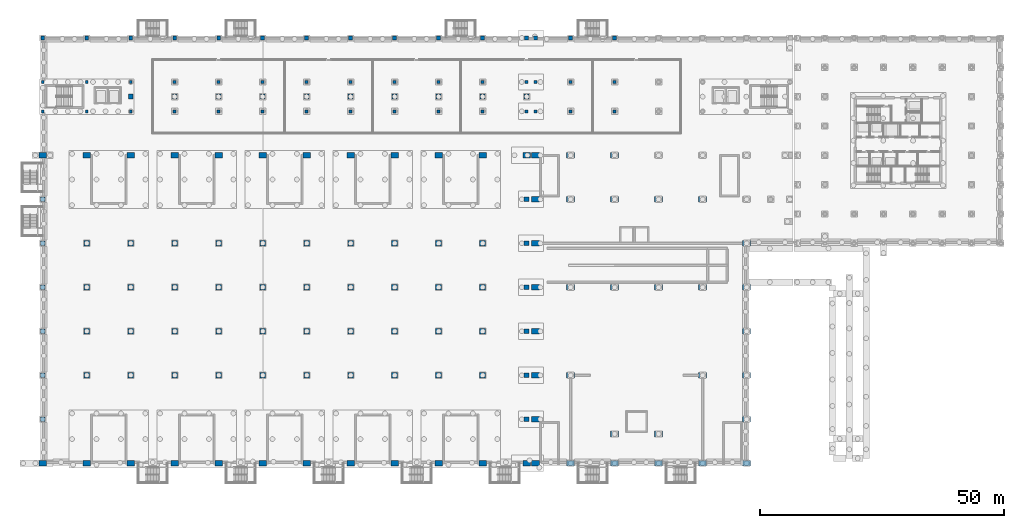
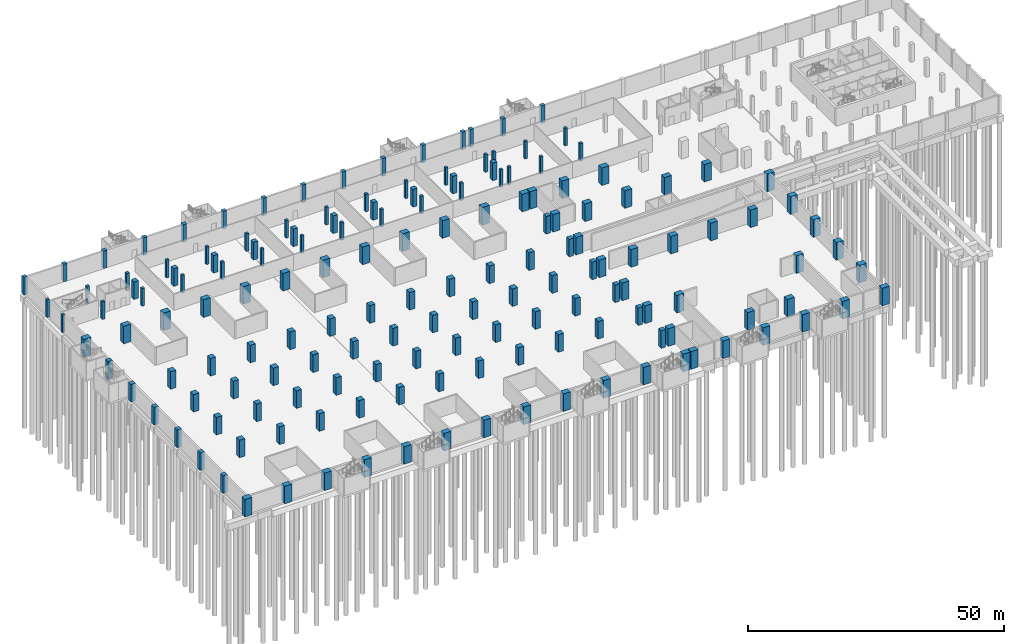
# One storey, part 6 of 29: 163 columns.
"""IFC4 building model written with IfcOpenShell, lengths in metres."""

from ifc_helpers import new_model, si_unit, direction, frame, origin, origin_2d, place, context, subcontext, project, spatial, rectangle, extrude, material, material_profile, profile_set, type_object, element, save


model = new_model("IFC4")

# Units and contexts
model_context = context("Model", 3, precision=1e-05, world=origin(), true_north=direction((0.0, 1.0)))
body_context = subcontext(model_context, "Body", "Model", "MODEL_VIEW")
ifc_project = project(units=[si_unit("LENGTHUNIT", "METRE"), si_unit("AREAUNIT", "SQUARE_METRE"), si_unit("VOLUMEUNIT", "CUBIC_METRE"), si_unit("PLANEANGLEUNIT", "RADIAN"), si_unit("MASSUNIT", "GRAM", prefix="KILO")], contexts=[model_context])

# Site, building, storey
site_placement = place(None, origin())
site = spatial("IfcSite", under=ifc_project, at=site_placement, CompositionType="ELEMENT")
building_placement = place(site_placement, origin())
building = spatial("IfcBuilding", under=site, at=building_placement, Name="Aravalli Gate Trade Fair Centre", CompositionType="ELEMENT")
storey_placement = place(building_placement, frame((0.0, 0.0, -8.39990234375)))
storey = spatial("IfcBuildingStorey", under=building, at=storey_placement, Name="B2", CompositionType="ELEMENT", Elevation=-8.39990234375)

# Columns
ifc_material_1 = material(Name="Concrete M50", Category="concrete")
ifc_material_profile_1 = material_profile(ifc_material_1, rectangle(XDim=1.0, YDim=1.0, at=origin_2d()), Name="RC 1000 x 1000")
ifc_profile_set_1 = profile_set([ifc_material_profile_1], Name="Concrete M50")
column_type_1 = type_object("IfcColumnType", Name="Basement column 1000", PredefinedType="COLUMN", material=ifc_profile_set_1)
for number, where, z_axis, x_axis, name in (
    (1, (6.0, 55.0, 0.0), (0.0, 0.0, 1.0), (1.0, 0.0, 0.0), "Basement column 1B B2"),
    (2, (6.0, 64.0, 0.0), (0.0, 0.0, 1.0), (1.0, 0.0, 0.0), "Basement column 1C B2"),
    (3, (6.0, 73.0, 0.0), (0.0, 0.0, 1.0), (1.0, 0.0, 0.0), "Basement column 1D B2"),
    (4, (6.0, 82.0, 0.0), (0.0, 0.0, 1.0), (1.0, 0.0, 0.0), "Basement column 1E B2"),
    (5, (6.0, 91.0, 0.0), (0.0, 0.0, 1.0), (1.0, 0.0, 0.0), "Basement column 1F B2"),
    (6, (6.0, 100.0, 0.0), (0.0, 0.0, 1.0), (1.0, 0.0, 0.0), "Basement column 1G B2"),
    (7, (105.0, 55.0, 0.0), (0.0, 0.0, 1.0), (1.0, 0.0, 0.0), "Basement column 12B B2"),
    (8, (105.0, 64.0, 0.0), (0.0, 0.0, 1.0), (1.0, 0.0, 0.0), "Basement column 12C B2"),
    (9, (105.0, 73.0, 0.0), (0.0, 0.0, 1.0), (1.0, 0.0, 0.0), "Basement column 12D B2"),
    (10, (105.0, 82.0, 0.0), (0.0, 0.0, 1.0), (1.0, 0.0, 0.0), "Basement column 12E B2"),
    (11, (105.0, 91.0, 0.0), (0.0, 0.0, 1.0), (1.0, 0.0, 0.0), "Basement column 12F B2"),
    (12, (105.0, 100.0, 0.0), (0.0, 0.0, 1.0), (1.0, 0.0, 0.0), "Basement column 12G B2"),
    (13, (24.0, 121.0, 0.0), (0.0, 0.0, 1.0), (1.0, 0.0, 0.0), "Basement column 3J B2"),
    (14, (33.0, 121.0, 0.0), (0.0, 0.0, 1.0), (1.0, 0.0, 0.0), "Basement column 4J B2"),
    (15, (42.0, 121.0, 0.0), (0.0, 0.0, 1.0), (1.0, 0.0, 0.0), "Basement column 5J B2"),
    (16, (51.0, 121.0, 0.0), (0.0, 0.0, 1.0), (1.0, 0.0, 0.0), "Basement column 6J B2"),
    (17, (60.0, 121.0, 0.0), (0.0, 0.0, 1.0), (1.0, 0.0, 0.0), "Basement column 7J B2"),
    (18, (69.0, 121.0, 0.0), (0.0, 0.0, 1.0), (1.0, 0.0, 0.0), "Basement column 8J B2"),
    (19, (78.0, 121.0, 0.0), (0.0, 0.0, 1.0), (1.0, 0.0, 0.0), "Basement column 9J B2"),
    (20, (87.0, 121.0, 0.0), (0.0, 0.0, 1.0), (1.0, 0.0, 0.0), "Basement column 10J B2"),
    (21, (96.0, 121.0, 0.0), (0.0, 0.0, 1.0), (1.0, 0.0, 0.0), "Basement column 11J B2"),
    (22, (105.0, 121.0, 0.0), (0.0, 0.0, 1.0), (1.0, 0.0, 0.0), "Basement column 12J B2"),
):
    element("IfcColumn", number, at=place(storey_placement, frame(where, z_axis=z_axis, x_axis=x_axis)), inside=storey, type_object=column_type_1, Name=name, PredefinedType="COLUMN", context=body_context, shape_type="SweptSolid", body=[
        extrude(rectangle(XDim=1.0, YDim=1.0, at=origin_2d()), origin(), (0.0, 0.0, 1.0), 4.199951171875),
    ])
ifc_material_profile_2 = material_profile(ifc_material_1, rectangle(XDim=1.199951171875, YDim=1.199951171875, at=origin_2d()), Name="RC 1200 x 1200")
ifc_profile_set_2 = profile_set([ifc_material_profile_2], Name="Concrete M50")
column_type_2 = type_object("IfcColumnType", Name="Basement column 1200", PredefinedType="COLUMN", material=ifc_profile_set_2)
for number, where, z_axis, x_axis, name in (
    (23, (15.0, 64.0, 0.0), (0.0, 0.0, 1.0), (1.0, 0.0, 0.0), "Basement column 2C B2"),
    (24, (15.0, 73.0, 0.0), (0.0, 0.0, 1.0), (1.0, 0.0, 0.0), "Basement column 2D B2"),
    (25, (15.0, 82.0, 0.0), (0.0, 0.0, 1.0), (1.0, 0.0, 0.0), "Basement column 2E B2"),
    (26, (15.0, 91.0, 0.0), (0.0, 0.0, 1.0), (1.0, 0.0, 0.0), "Basement column 2F B2"),
    (27, (24.0, 64.0, 0.0), (0.0, 0.0, 1.0), (1.0, 0.0, 0.0), "Basement column 3C B2"),
    (28, (24.0, 73.0, 0.0), (0.0, 0.0, 1.0), (1.0, 0.0, 0.0), "Basement column 3D B2"),
    (29, (24.0, 82.0, 0.0), (0.0, 0.0, 1.0), (1.0, 0.0, 0.0), "Basement column 3E B2"),
    (30, (24.0, 91.0, 0.0), (0.0, 0.0, 1.0), (1.0, 0.0, 0.0), "Basement column 3F B2"),
    (31, (33.0, 64.0, 0.0), (0.0, 0.0, 1.0), (1.0, 0.0, 0.0), "Basement column 4C B2"),
    (32, (33.0, 73.0, 0.0), (0.0, 0.0, 1.0), (1.0, 0.0, 0.0), "Basement column 4D B2"),
    (33, (33.0, 82.0, 0.0), (0.0, 0.0, 1.0), (1.0, 0.0, 0.0), "Basement column 4E B2"),
    (34, (33.0, 91.0, 0.0), (0.0, 0.0, 1.0), (1.0, 0.0, 0.0), "Basement column 4F B2"),
    (35, (42.0, 64.0, 0.0), (0.0, 0.0, 1.0), (1.0, 0.0, 0.0), "Basement column 5C B2"),
    (36, (42.0, 73.0, 0.0), (0.0, 0.0, 1.0), (1.0, 0.0, 0.0), "Basement column 5D B2"),
    (37, (42.0, 82.0, 0.0), (0.0, 0.0, 1.0), (1.0, 0.0, 0.0), "Basement column 5E B2"),
    (38, (42.0, 91.0, 0.0), (0.0, 0.0, 1.0), (1.0, 0.0, 0.0), "Basement column 5F B2"),
    (39, (51.0, 64.0, 0.0), (0.0, 0.0, 1.0), (1.0, 0.0, 0.0), "Basement column 6C B2"),
    (40, (51.0, 73.0, 0.0), (0.0, 0.0, 1.0), (1.0, 0.0, 0.0), "Basement column 6D B2"),
    (41, (51.0, 82.0, 0.0), (0.0, 0.0, 1.0), (1.0, 0.0, 0.0), "Basement column 6E B2"),
    (42, (51.0, 91.0, 0.0), (0.0, 0.0, 1.0), (1.0, 0.0, 0.0), "Basement column 6F B2"),
    (43, (60.0, 64.0, 0.0), (0.0, 0.0, 1.0), (1.0, 0.0, 0.0), "Basement column 7C B2"),
    (44, (60.0, 73.0, 0.0), (0.0, 0.0, 1.0), (1.0, 0.0, 0.0), "Basement column 7D B2"),
    (45, (60.0, 82.0, 0.0), (0.0, 0.0, 1.0), (1.0, 0.0, 0.0), "Basement column 7E B2"),
    (46, (60.0, 91.0, 0.0), (0.0, 0.0, 1.0), (1.0, 0.0, 0.0), "Basement column 7F B2"),
    (47, (69.0, 64.0, 0.0), (0.0, 0.0, 1.0), (1.0, 0.0, 0.0), "Basement column 8C B2"),
    (48, (69.0, 73.0, 0.0), (0.0, 0.0, 1.0), (1.0, 0.0, 0.0), "Basement column 8D B2"),
    (49, (69.0, 82.0, 0.0), (0.0, 0.0, 1.0), (1.0, 0.0, 0.0), "Basement column 8E B2"),
    (50, (69.0, 91.0, 0.0), (0.0, 0.0, 1.0), (1.0, 0.0, 0.0), "Basement column 8F B2"),
    (51, (78.0, 64.0, 0.0), (0.0, 0.0, 1.0), (1.0, 0.0, 0.0), "Basement column 9C B2"),
    (52, (78.0, 73.0, 0.0), (0.0, 0.0, 1.0), (1.0, 0.0, 0.0), "Basement column 9D B2"),
    (53, (78.0, 82.0, 0.0), (0.0, 0.0, 1.0), (1.0, 0.0, 0.0), "Basement column 9E B2"),
    (54, (78.0, 91.0, 0.0), (0.0, 0.0, 1.0), (1.0, 0.0, 0.0), "Basement column 9F B2"),
    (55, (87.0, 64.0, 0.0), (0.0, 0.0, 1.0), (1.0, 0.0, 0.0), "Basement column 10C B2"),
    (56, (87.0, 73.0, 0.0), (0.0, 0.0, 1.0), (1.0, 0.0, 0.0), "Basement column 10D B2"),
    (57, (87.0, 82.0, 0.0), (0.0, 0.0, 1.0), (1.0, 0.0, 0.0), "Basement column 10E B2"),
    (58, (87.0, 91.0, 0.0), (0.0, 0.0, 1.0), (1.0, 0.0, 0.0), "Basement column 10F B2"),
    (59, (96.0, 64.0, 0.0), (0.0, 0.0, 1.0), (1.0, 0.0, 0.0), "Basement column 11C B2"),
    (60, (96.0, 73.0, 0.0), (0.0, 0.0, 1.0), (1.0, 0.0, 0.0), "Basement column 11D B2"),
    (61, (96.0, 82.0, 0.0), (0.0, 0.0, 1.0), (1.0, 0.0, 0.0), "Basement column 11E B2"),
    (62, (96.0, 91.0, 0.0), (0.0, 0.0, 1.0), (1.0, 0.0, 0.0), "Basement column 11F B2"),
):
    element("IfcColumn", number, at=place(storey_placement, frame(where, z_axis=z_axis, x_axis=x_axis)), inside=storey, type_object=column_type_2, Name=name, PredefinedType="COLUMN", context=body_context, shape_type="SweptSolid", body=[
        extrude(rectangle(XDim=1.199951171875, YDim=1.199951171875, at=origin_2d()), origin(), (0.0, 0.0, 1.0), 4.199951171875),
    ])
ifc_material_2 = material(Name="Concrete M45", Category="concrete")
ifc_material_profile_3 = material_profile(ifc_material_2, rectangle(XDim=1.60009765625, YDim=1.199951171875, at=origin_2d()), Name="RC 1600x1200")
ifc_profile_set_3 = profile_set([ifc_material_profile_3], Name="Concrete M45")
column_type_3 = type_object("IfcColumnType", Name="Congress RC column 1600 x 1200", PredefinedType="COLUMN", material=ifc_profile_set_3)
for number, where, z_axis, x_axis, name in (
    (63, (106.800048828125, 46.0, 0.0), (0.0, 0.0, 1.0), (1.0, 0.0, 0.0), "Congress column 106.8/46 B2"),
    (64, (114.0, 46.0, 0.0), (0.0, 0.0, 1.0), (1.0, 0.0, 0.0), "Congress column 114.0/46 B2"),
    (65, (123.0, 46.0, 0.0), (0.0, 0.0, 1.0), (1.0, 0.0, 0.0), "Congress column 123.0/46 B2"),
    (66, (132.0, 46.0, 0.0), (0.0, 0.0, 1.0), (1.0, 0.0, 0.0), "Congress column 132.0/46 B2"),
    (67, (141.0, 46.0, 0.0), (0.0, 0.0, 1.0), (1.0, 0.0, 0.0), "Congress column 141.0/46 B2"),
    (68, (150.0, 46.0, 0.0), (0.0, 0.0, 1.0), (1.0, 0.0, 0.0), "Congress column 150.0/46 B2"),
    (69, (106.800048828125, 55.0, 0.0), (0.0, 0.0, 1.0), (1.0, 0.0, 0.0), "Congress column 106.8/55 B2"),
    (70, (150.0, 55.0, 0.0), (0.0, 0.0, 1.0), (1.0, 0.0, 0.0), "Congress column 150.0/55 B2"),
    (71, (106.800048828125, 64.0, 0.0), (0.0, 0.0, 1.0), (1.0, 0.0, 0.0), "Congress column 106.8/64 B2"),
    (72, (150.0, 64.0, 0.0), (0.0, 0.0, 1.0), (1.0, 0.0, 0.0), "Congress column 150.0/64 B2"),
    (73, (106.800048828125, 73.0, 0.0), (0.0, 0.0, 1.0), (1.0, 0.0, 0.0), "Congress column 106.8/73 B2"),
    (74, (150.0, 73.0, 0.0), (0.0, 0.0, 1.0), (1.0, 0.0, 0.0), "Congress column 150.0/73 B2"),
    (75, (106.800048828125, 82.0, 0.0), (0.0, 0.0, 1.0), (1.0, 0.0, 0.0), "Congress column 106.8/82 B2"),
    (76, (150.0, 82.0, 0.0), (0.0, 0.0, 1.0), (1.0, 0.0, 0.0), "Congress column 150.0/82 B2"),
    (77, (106.800048828125, 91.0, 0.0), (0.0, 0.0, 1.0), (1.0, 0.0, 0.0), "Congress column 106.8/91 B2"),
    (78, (150.0, 91.0, 0.0), (0.0, 0.0, 1.0), (1.0, 0.0, 0.0), "Congress column 150.0/91 B2"),
    (79, (106.800048828125, 100.0, 0.0), (0.0, 0.0, 1.0), (1.0, 0.0, 0.0), "Congress column 106.8/100 B2"),
    (80, (106.800048828125, 109.0, 0.0), (0.0, 0.0, 1.0), (1.0, 0.0, 0.0), "Congress column 106.8/109 B2"),
    (81, (114.0, 109.0, 0.0), (0.0, 0.0, 1.0), (1.0, 0.0, 0.0), "Congress column 114.0/109 B2"),
    (82, (123.0, 109.0, 0.0), (0.0, 0.0, 1.0), (1.0, 0.0, 0.0), "Congress column 123.0/109 B2"),
):
    element("IfcColumn", number, at=place(storey_placement, frame(where, z_axis=z_axis, x_axis=x_axis)), inside=storey, type_object=column_type_3, Name=name, PredefinedType="COLUMN", context=body_context, shape_type="SweptSolid", body=[
        extrude(rectangle(XDim=1.60009765625, YDim=1.199951171875, at=origin_2d()), origin(), (0.0, 0.0, 1.0), 4.199951171875),
    ])
ifc_material_profile_4 = material_profile(ifc_material_2, rectangle(XDim=1.60009765625, YDim=1.199951171875, at=origin_2d()), Name="RC 1600x1200")
ifc_profile_set_4 = profile_set([ifc_material_profile_4], Name="Concrete M45")
column_type_4 = type_object("IfcColumnType", Name="Congress RC column 1600 x 1200, heavy stack", PredefinedType="COLUMN", material=ifc_profile_set_4)
for number, where, z_axis, x_axis, name in (
    (83, (123.0, 52.0, 0.0), (0.0, 0.0, 1.0), (1.0, 0.0, 0.0), "Congress column 123.0/52 B2"),
    (84, (132.0, 52.0, 0.0), (0.0, 0.0, 1.0), (1.0, 0.0, 0.0), "Congress column 132.0/52 B2"),
    (85, (114.0, 64.0, 0.0), (0.0, 0.0, 1.0), (1.0, 0.0, 0.0), "Congress column 114.0/64 B2"),
    (86, (141.0, 64.0, 0.0), (0.0, 0.0, 1.0), (1.0, 0.0, 0.0), "Congress column 141.0/64 B2"),
    (87, (114.0, 82.0, 0.0), (0.0, 0.0, 1.0), (1.0, 0.0, 0.0), "Congress column 114.0/82 B2"),
    (88, (123.0, 82.0, 0.0), (0.0, 0.0, 1.0), (1.0, 0.0, 0.0), "Congress column 123.0/82 B2"),
    (89, (132.0, 82.0, 0.0), (0.0, 0.0, 1.0), (1.0, 0.0, 0.0), "Congress column 132.0/82 B2"),
    (90, (141.0, 82.0, 0.0), (0.0, 0.0, 1.0), (1.0, 0.0, 0.0), "Congress column 141.0/82 B2"),
    (91, (114.0, 100.0, 0.0), (0.0, 0.0, 1.0), (1.0, 0.0, 0.0), "Congress column 114.0/100 B2"),
    (92, (123.0, 100.0, 0.0), (0.0, 0.0, 1.0), (1.0, 0.0, 0.0), "Congress column 123.0/100 B2"),
    (93, (132.0, 100.0, 0.0), (0.0, 0.0, 1.0), (1.0, 0.0, 0.0), "Congress column 132.0/100 B2"),
    (94, (141.0, 100.0, 0.0), (0.0, 0.0, 1.0), (1.0, 0.0, 0.0), "Congress column 141.0/100 B2"),
):
    element("IfcColumn", number, at=place(storey_placement, frame(where, z_axis=z_axis, x_axis=x_axis)), inside=storey, type_object=column_type_4, Name=name, PredefinedType="COLUMN", context=body_context, shape_type="SweptSolid", body=[
        extrude(rectangle(XDim=1.60009765625, YDim=1.199951171875, at=origin_2d()), origin(), (0.0, 0.0, 1.0), 4.199951171875),
    ])
ifc_material_profile_5 = material_profile(ifc_material_2, rectangle(XDim=1.60009765625, YDim=1.199951171875, at=origin_2d()), Name="RC 1600x1200")
ifc_profile_set_5 = profile_set([ifc_material_profile_5], Name="Concrete M45")
column_type_5 = type_object("IfcColumnType", Name="Hall end-line spine column HC2", PredefinedType="COLUMN", material=ifc_profile_set_5)
for number, where, z_axis, x_axis, name in (
    (95, (6.0, 46.0, 0.0), (0.0, 0.0, 1.0), (1.0, 0.0, 0.0), "Spine column A1 B2"),
    (96, (6.0, 109.0, 0.0), (0.0, 0.0, 1.0), (1.0, 0.0, 0.0), "Spine column H1 B2"),
    (97, (105.0, 46.0, 0.0), (0.0, 0.0, 1.0), (1.0, 0.0, 0.0), "Spine column A12 B2"),
    (98, (105.0, 109.0, 0.0), (0.0, 0.0, 1.0), (1.0, 0.0, 0.0), "Spine column H12 B2"),
):
    element("IfcColumn", number, at=place(storey_placement, frame(where, z_axis=z_axis, x_axis=x_axis)), inside=storey, type_object=column_type_5, Name=name, PredefinedType="COLUMN", context=body_context, shape_type="SweptSolid", body=[
        extrude(rectangle(XDim=1.60009765625, YDim=1.199951171875, at=origin_2d()), origin(), (0.0, 0.0, 1.0), 4.199951171875),
    ])
ifc_material_profile_6 = material_profile(ifc_material_2, rectangle(XDim=1.60009765625, YDim=1.199951171875, at=origin_2d()), Name="RC 1600x1200")
ifc_profile_set_6 = profile_set([ifc_material_profile_6], Name="Concrete M45")
column_type_6 = type_object("IfcColumnType", Name="Hall spine column HC1", PredefinedType="COLUMN", material=ifc_profile_set_6)
for number, where, z_axis, x_axis, name in (
    (99, (15.0, 46.0, 0.0), (0.0, 0.0, 1.0), (1.0, 0.0, 0.0), "Spine column A2 B2"),
    (100, (15.0, 109.0, 0.0), (0.0, 0.0, 1.0), (1.0, 0.0, 0.0), "Spine column H2 B2"),
    (101, (24.0, 46.0, 0.0), (0.0, 0.0, 1.0), (1.0, 0.0, 0.0), "Spine column A3 B2"),
    (102, (24.0, 109.0, 0.0), (0.0, 0.0, 1.0), (1.0, 0.0, 0.0), "Spine column H3 B2"),
    (103, (33.0, 46.0, 0.0), (0.0, 0.0, 1.0), (1.0, 0.0, 0.0), "Spine column A4 B2"),
    (104, (33.0, 109.0, 0.0), (0.0, 0.0, 1.0), (1.0, 0.0, 0.0), "Spine column H4 B2"),
    (105, (42.0, 46.0, 0.0), (0.0, 0.0, 1.0), (1.0, 0.0, 0.0), "Spine column A5 B2"),
    (106, (42.0, 109.0, 0.0), (0.0, 0.0, 1.0), (1.0, 0.0, 0.0), "Spine column H5 B2"),
    (107, (51.0, 46.0, 0.0), (0.0, 0.0, 1.0), (1.0, 0.0, 0.0), "Spine column A6 B2"),
    (108, (51.0, 109.0, 0.0), (0.0, 0.0, 1.0), (1.0, 0.0, 0.0), "Spine column H6 B2"),
    (109, (60.0, 46.0, 0.0), (0.0, 0.0, 1.0), (1.0, 0.0, 0.0), "Spine column A7 B2"),
    (110, (60.0, 109.0, 0.0), (0.0, 0.0, 1.0), (1.0, 0.0, 0.0), "Spine column H7 B2"),
    (111, (69.0, 46.0, 0.0), (0.0, 0.0, 1.0), (1.0, 0.0, 0.0), "Spine column A8 B2"),
    (112, (69.0, 109.0, 0.0), (0.0, 0.0, 1.0), (1.0, 0.0, 0.0), "Spine column H8 B2"),
    (113, (78.0, 46.0, 0.0), (0.0, 0.0, 1.0), (1.0, 0.0, 0.0), "Spine column A9 B2"),
    (114, (78.0, 109.0, 0.0), (0.0, 0.0, 1.0), (1.0, 0.0, 0.0), "Spine column H9 B2"),
    (115, (87.0, 46.0, 0.0), (0.0, 0.0, 1.0), (1.0, 0.0, 0.0), "Spine column A10 B2"),
    (116, (87.0, 109.0, 0.0), (0.0, 0.0, 1.0), (1.0, 0.0, 0.0), "Spine column H10 B2"),
    (117, (96.0, 46.0, 0.0), (0.0, 0.0, 1.0), (1.0, 0.0, 0.0), "Spine column A11 B2"),
    (118, (96.0, 109.0, 0.0), (0.0, 0.0, 1.0), (1.0, 0.0, 0.0), "Spine column H11 B2"),
):
    element("IfcColumn", number, at=place(storey_placement, frame(where, z_axis=z_axis, x_axis=x_axis)), inside=storey, type_object=column_type_6, Name=name, PredefinedType="COLUMN", context=body_context, shape_type="SweptSolid", body=[
        extrude(rectangle(XDim=1.60009765625, YDim=1.199951171875, at=origin_2d()), origin(), (0.0, 0.0, 1.0), 4.199951171875),
    ])
ifc_material_profile_7 = material_profile(ifc_material_2, rectangle(XDim=0.60009765625, YDim=0.60009765625, at=origin_2d()), Name="RC column 600 x 600")
ifc_profile_set_7 = profile_set([ifc_material_profile_7], Name="Concrete M45")
column_type_7 = type_object("IfcColumnType", Name="RC column 600 x 600", PredefinedType="COLUMN", material=ifc_profile_set_7)
for number, where, z_axis, x_axis, name in (
    (119, (6.0, 118.0, 0.0), (0.0, 0.0, 1.0), (1.0, 0.0, 0.0), "Concourse column S01 B2"),
    (120, (6.0, 124.0, 0.0), (0.0, 0.0, 1.0), (1.0, 0.0, 0.0), "Concourse column N01 B2"),
    (121, (15.0, 118.0, 0.0), (0.0, 0.0, 1.0), (1.0, 0.0, 0.0), "Concourse column S02 B2"),
    (122, (15.0, 124.0, 0.0), (0.0, 0.0, 1.0), (1.0, 0.0, 0.0), "Concourse column N02 B2"),
    (123, (24.0, 118.0, 0.0), (0.0, 0.0, 1.0), (1.0, 0.0, 0.0), "Concourse column S03 B2"),
    (124, (24.0, 124.0, 0.0), (0.0, 0.0, 1.0), (1.0, 0.0, 0.0), "Concourse column N03 B2"),
    (125, (33.0, 118.0, 0.0), (0.0, 0.0, 1.0), (1.0, 0.0, 0.0), "Concourse column S04 B2"),
    (126, (33.0, 124.0, 0.0), (0.0, 0.0, 1.0), (1.0, 0.0, 0.0), "Concourse column N04 B2"),
    (127, (42.0, 118.0, 0.0), (0.0, 0.0, 1.0), (1.0, 0.0, 0.0), "Concourse column S05 B2"),
    (128, (42.0, 124.0, 0.0), (0.0, 0.0, 1.0), (1.0, 0.0, 0.0), "Concourse column N05 B2"),
    (129, (51.0, 118.0, 0.0), (0.0, 0.0, 1.0), (1.0, 0.0, 0.0), "Concourse column S06 B2"),
    (130, (51.0, 124.0, 0.0), (0.0, 0.0, 1.0), (1.0, 0.0, 0.0), "Concourse column N06 B2"),
    (131, (60.0, 118.0, 0.0), (0.0, 0.0, 1.0), (1.0, 0.0, 0.0), "Concourse column S07 B2"),
    (132, (60.0, 124.0, 0.0), (0.0, 0.0, 1.0), (1.0, 0.0, 0.0), "Concourse column N07 B2"),
    (133, (69.0, 118.0, 0.0), (0.0, 0.0, 1.0), (1.0, 0.0, 0.0), "Concourse column S08 B2"),
    (134, (69.0, 124.0, 0.0), (0.0, 0.0, 1.0), (1.0, 0.0, 0.0), "Concourse column N08 B2"),
    (135, (78.0, 118.0, 0.0), (0.0, 0.0, 1.0), (1.0, 0.0, 0.0), "Concourse column S09 B2"),
    (136, (78.0, 124.0, 0.0), (0.0, 0.0, 1.0), (1.0, 0.0, 0.0), "Concourse column N09 B2"),
    (137, (87.0, 118.0, 0.0), (0.0, 0.0, 1.0), (1.0, 0.0, 0.0), "Concourse column S10 B2"),
    (138, (87.0, 124.0, 0.0), (0.0, 0.0, 1.0), (1.0, 0.0, 0.0), "Concourse column N10 B2"),
    (139, (96.0, 118.0, 0.0), (0.0, 0.0, 1.0), (1.0, 0.0, 0.0), "Concourse column S11 B2"),
    (140, (96.0, 124.0, 0.0), (0.0, 0.0, 1.0), (1.0, 0.0, 0.0), "Concourse column N11 B2"),
    (141, (105.0, 118.0, 0.0), (0.0, 0.0, 1.0), (1.0, 0.0, 0.0), "Concourse column S12 B2"),
    (142, (105.0, 124.0, 0.0), (0.0, 0.0, 1.0), (1.0, 0.0, 0.0), "Concourse column N12 B2"),
    (143, (106.800048828125, 118.0, 0.0), (0.0, 0.0, 1.0), (1.0, 0.0, 0.0), "Concourse column S12A B2"),
    (144, (106.800048828125, 124.0, 0.0), (0.0, 0.0, 1.0), (1.0, 0.0, 0.0), "Concourse column N12A B2"),
    (145, (114.0, 118.0, 0.0), (0.0, 0.0, 1.0), (1.0, 0.0, 0.0), "Concourse column S13 B2"),
    (146, (114.0, 124.0, 0.0), (0.0, 0.0, 1.0), (1.0, 0.0, 0.0), "Concourse column N13 B2"),
    (147, (123.0, 118.0, 0.0), (0.0, 0.0, 1.0), (1.0, 0.0, 0.0), "Concourse column S14 B2"),
    (148, (123.0, 124.0, 0.0), (0.0, 0.0, 1.0), (1.0, 0.0, 0.0), "Concourse column N14 B2"),
):
    element("IfcColumn", number, at=place(storey_placement, frame(where, z_axis=z_axis, x_axis=x_axis)), inside=storey, type_object=column_type_7, Name=name, PredefinedType="COLUMN", context=body_context, shape_type="SweptSolid", body=[
        extrude(rectangle(XDim=0.60009765625, YDim=0.60009765625, at=origin_2d()), origin(), (0.0, 0.0, 1.0), 4.199951171875),
    ])
ifc_material_profile_8 = material_profile(ifc_material_2, rectangle(XDim=0.800048828125, YDim=0.800048828125, at=origin_2d()), Name="RC column 800 x 800")
ifc_profile_set_8 = profile_set([ifc_material_profile_8], Name="Concrete M45")
column_type_8 = type_object("IfcColumnType", Name="RC column 800 x 800", PredefinedType="COLUMN", material=ifc_profile_set_8)
for number, where, z_axis, x_axis, name in (
    (149, (6.0, 133.0, 0.0), (0.0, 0.0, 1.0), (1.0, 0.0, 0.0), "Concourse column K01 B2"),
    (150, (15.0, 133.0, 0.0), (0.0, 0.0, 1.0), (1.0, 0.0, 0.0), "Concourse column K02 B2"),
    (151, (24.0, 133.0, 0.0), (0.0, 0.0, 1.0), (1.0, 0.0, 0.0), "Concourse column K03 B2"),
    (152, (33.0, 133.0, 0.0), (0.0, 0.0, 1.0), (1.0, 0.0, 0.0), "Concourse column K04 B2"),
    (153, (42.0, 133.0, 0.0), (0.0, 0.0, 1.0), (1.0, 0.0, 0.0), "Concourse column K05 B2"),
    (154, (51.0, 133.0, 0.0), (0.0, 0.0, 1.0), (1.0, 0.0, 0.0), "Concourse column K06 B2"),
    (155, (60.0, 133.0, 0.0), (0.0, 0.0, 1.0), (1.0, 0.0, 0.0), "Concourse column K07 B2"),
    (156, (69.0, 133.0, 0.0), (0.0, 0.0, 1.0), (1.0, 0.0, 0.0), "Concourse column K08 B2"),
    (157, (78.0, 133.0, 0.0), (0.0, 0.0, 1.0), (1.0, 0.0, 0.0), "Concourse column K09 B2"),
    (158, (87.0, 133.0, 0.0), (0.0, 0.0, 1.0), (1.0, 0.0, 0.0), "Concourse column K10 B2"),
    (159, (96.0, 133.0, 0.0), (0.0, 0.0, 1.0), (1.0, 0.0, 0.0), "Concourse column K11 B2"),
    (160, (105.0, 133.0, 0.0), (0.0, 0.0, 1.0), (1.0, 0.0, 0.0), "Concourse column K12 B2"),
    (161, (106.800048828125, 133.0, 0.0), (0.0, 0.0, 1.0), (1.0, 0.0, 0.0), "Concourse column K12A B2"),
    (162, (114.0, 133.0, 0.0), (0.0, 0.0, 1.0), (1.0, 0.0, 0.0), "Concourse column K13 B2"),
    (163, (123.0, 133.0, 0.0), (0.0, 0.0, 1.0), (1.0, 0.0, 0.0), "Concourse column K14 B2"),
):
    element("IfcColumn", number, at=place(storey_placement, frame(where, z_axis=z_axis, x_axis=x_axis)), inside=storey, type_object=column_type_8, Name=name, PredefinedType="COLUMN", context=body_context, shape_type="SweptSolid", body=[
        extrude(rectangle(XDim=0.800048828125, YDim=0.800048828125, at=origin_2d()), origin(), (0.0, 0.0, 1.0), 4.199951171875),
    ])

save(model, "model.ifc")
